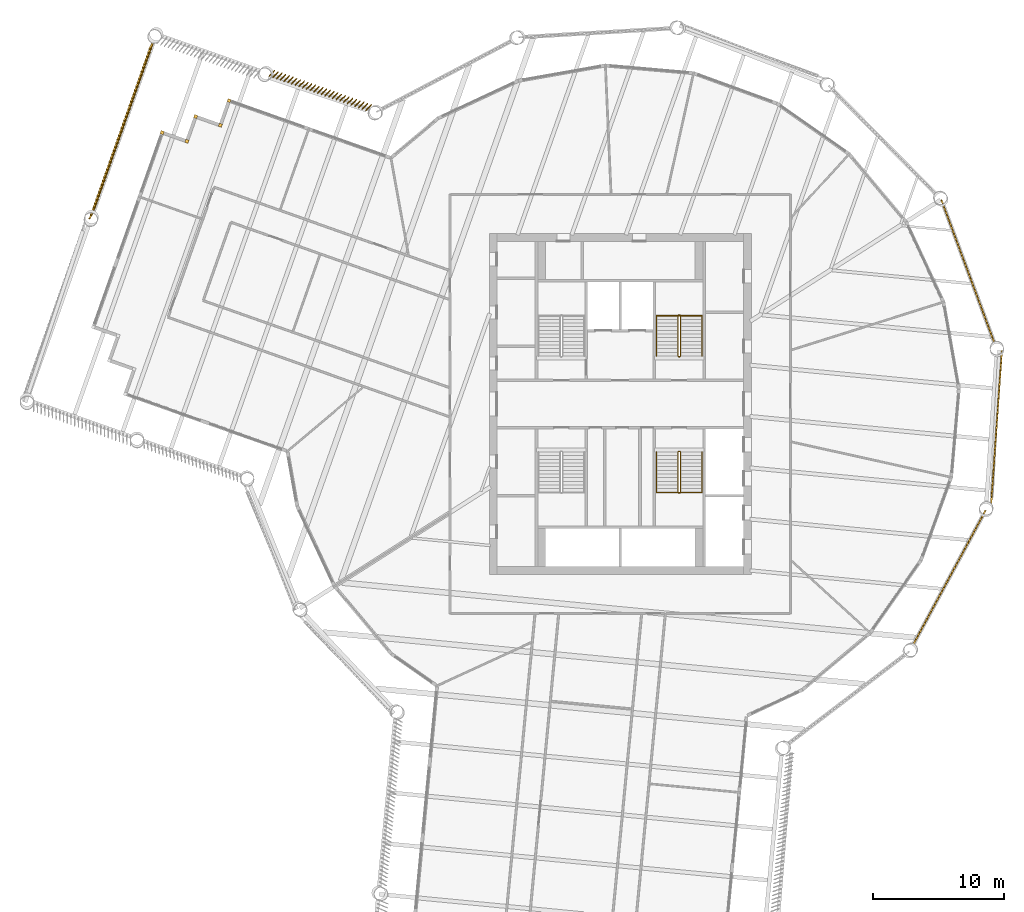
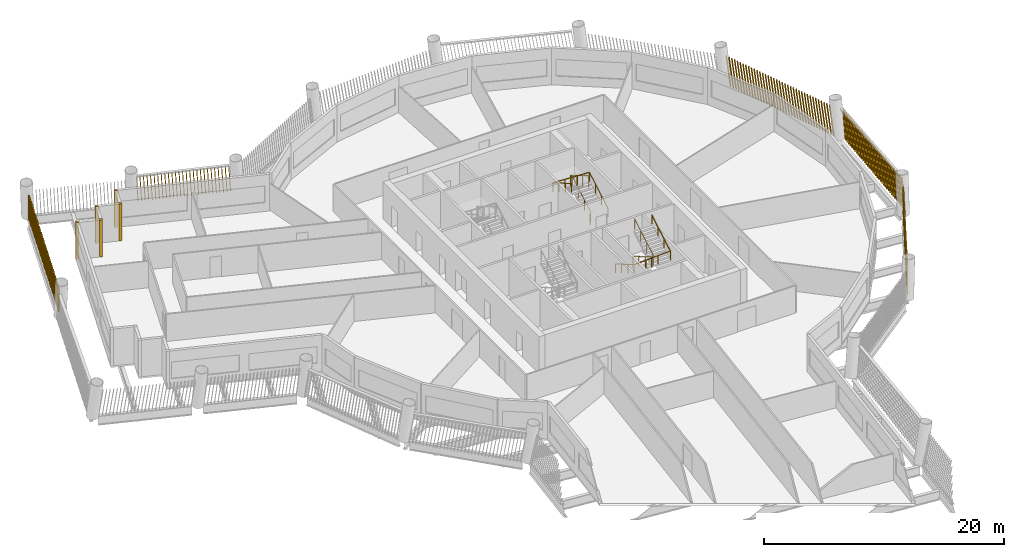
# One storey, part 13 of 15: 10 shading devices, 4 railings.
"""IFC4 building model written with IfcOpenShell, lengths in metres."""

from ifc_helpers import new_model, si_unit, direction, frame, frame_2d, origin, origin_2d, place, context, subcontext, project, spatial, rectangle, circle, composite_profile, extrude, material, type_object, element, save


model = new_model("IFC4")

# Units and contexts
model_context = context("Model", 3, precision=1e-05, world=origin(), true_north=direction((0.0, 1.0)))
body_context = subcontext(model_context, "Body", "Model", "MODEL_VIEW")
ifc_project = project(units=[si_unit("LENGTHUNIT", "METRE"), si_unit("AREAUNIT", "SQUARE_METRE"), si_unit("VOLUMEUNIT", "CUBIC_METRE"), si_unit("PLANEANGLEUNIT", "RADIAN"), si_unit("MASSUNIT", "GRAM", prefix="KILO")], contexts=[model_context])

# Site, building, storey
site_placement = place(None, origin())
site = spatial("IfcSite", under=ifc_project, at=site_placement, CompositionType="ELEMENT")
building_placement = place(site_placement, origin())
building = spatial("IfcBuilding", under=site, at=building_placement, Name="Tarsis Ring Headquarters", CompositionType="ELEMENT")
storey_placement = place(building_placement, frame((0.0, 0.0, 204.300048828125)))
storey = spatial("IfcBuildingStorey", under=building, at=storey_placement, Name="L47", CompositionType="ELEMENT", Elevation=204.300048828125)

# Railings
ifc_material_1 = material(Name="Steel S355", Category="steel")
railing_type_1 = type_object("IfcRailingType", Name="Core stair guard 1100", PredefinedType="GUARDRAIL", material=ifc_material_1)
railing_1_placement = place(storey_placement, frame((4.4599609375, 3.610107421875, 0.0)))
element("IfcRailing", 1, at=railing_1_placement, inside=storey, type_object=railing_type_1, Name="L47 ST2 stair guard 1", PredefinedType="GUARDRAIL", context=body_context, shape_type="SweptSolid", body=[
    extrude(circle(Radius=0.02392578125, at=origin_2d()), frame((0.0, 0.0, 1.076171875), z_axis=(1.0, 0.0, 0.0), x_axis=(0.0, 1.0, 0.0)), (0.0, 0.0, 1.0), 0.080078125),
    extrude(circle(Radius=0.02392578125, at=origin_2d()), frame((0.080078125, 0.0, 1.076171875), z_axis=(0.282693820306, 0.281314826061, 0.917031173188), x_axis=(-0.705375805398, 0.708833529934, 0.0)), (0.0, 0.0, 1.0), 0.177001953125),
    extrude(circle(Radius=0.02392578125, at=origin_2d()), frame((0.130126953125, 0.0498046875, 1.23828125), z_axis=(0.0, 0.864890721111, 0.501960198159), x_axis=(-1.0, 0.0, 0.0)), (0.0, 0.0, 1.0), 3.561279296875),
    extrude(circle(Radius=0.02392578125, at=origin_2d()), frame((0.130126953125, 3.1298828125, 3.02587890625), z_axis=(-0.707106781187, 0.707106781187, 0.0), x_axis=(-0.707106781187, -0.707106781187, 0.0)), (0.0, 0.0, 1.0), 0.07080078125),
    extrude(circle(Radius=0.02392578125, at=origin_2d()), frame((0.080078125, 3.179931640625, 3.02587890625), z_axis=(-1.0, 0.0, 0.0), x_axis=(0.0, -1.0, 0.0)), (0.0, 0.0, 1.0), 0.080078125),
    extrude(circle(Radius=0.02392578125, at=origin_2d()), frame((0.0, 3.179931640625, 3.02587890625), z_axis=(-0.282227285176, -0.282227285176, 0.916894497205), x_axis=(0.707106781187, -0.707106781187, 0.0)), (0.0, 0.0, 1.0), 0.17724609375),
    extrude(circle(Radius=0.02392578125, at=origin_2d()), frame((-0.050048828125, 3.1298828125, 3.1884765625), z_axis=(0.0, -0.864920483161, 0.501908913857), x_axis=(1.0, 0.0, 0.0)), (0.0, 0.0, 1.0), 3.56103515625),
    extrude(circle(Radius=0.02099609375, at=origin_2d()), origin(), (0.0, 0.0, 1.0), 1.052001953125),
    extrude(circle(Radius=0.02099609375, at=origin_2d()), frame((0.080078125, 0.0, 0.0)), (0.0, 0.0, 1.0), 1.052001953125),
    extrude(circle(Radius=0.02099609375, at=origin_2d()), frame((0.130126953125, 0.0498046875, 0.162353515625)), (0.0, 0.0, 1.0), 1.052001953125),
    extrude(circle(Radius=0.02099609375, at=origin_2d()), frame((0.130126953125, 1.076416015625, 0.75830078125)), (0.0, 0.0, 1.0), 1.052001953125),
    extrude(circle(Radius=0.02099609375, at=origin_2d()), frame((0.130126953125, 2.103271484375, 1.35400390625)), (0.0, 0.0, 1.0), 1.052001953125),
    extrude(circle(Radius=0.02099609375, at=origin_2d()), frame((0.130126953125, 3.1298828125, 1.949951171875)), (0.0, 0.0, 1.0), 1.052001953125),
    extrude(circle(Radius=0.02099609375, at=origin_2d()), frame((0.080078125, 3.179931640625, 1.949951171875)), (0.0, 0.0, 1.0), 1.052001953125),
    extrude(circle(Radius=0.02099609375, at=origin_2d()), frame((0.0, 3.179931640625, 1.949951171875)), (0.0, 0.0, 1.0), 1.052001953125),
    extrude(circle(Radius=0.02099609375, at=origin_2d()), frame((-0.050048828125, 3.1298828125, 2.112548828125)), (0.0, 0.0, 1.0), 1.052001953125),
    extrude(circle(Radius=0.02099609375, at=origin_2d()), frame((-0.050048828125, 2.103271484375, 2.708251953125)), (0.0, 0.0, 1.0), 1.052001953125),
    extrude(circle(Radius=0.02099609375, at=origin_2d()), frame((-0.050048828125, 1.076416015625, 3.30419921875)), (0.0, 0.0, 1.0), 1.052001953125),
    extrude(circle(Radius=0.02099609375, at=origin_2d()), frame((-0.050048828125, 0.0498046875, 3.89990234375)), (0.0, 0.0, 1.0), 1.052001953125),
])
railing_2_placement = place(storey_placement, frame((4.5400390625, -3.610107421875, 0.0)))
element("IfcRailing", 2, at=railing_2_placement, inside=storey, type_object=railing_type_1, Name="L47 ST4 stair guard 1", PredefinedType="GUARDRAIL", context=body_context, shape_type="SweptSolid", body=[
    extrude(circle(Radius=0.02392578125, at=origin_2d()), frame((0.0, 0.0, 1.076171875), z_axis=(-1.0, 0.0, 0.0), x_axis=(0.0, -1.0, 0.0)), (0.0, 0.0, 1.0), 0.080078125),
    extrude(circle(Radius=0.02392578125, at=origin_2d()), frame((-0.080078125, 0.0, 1.076171875), z_axis=(-0.282693820306, -0.281314826061, 0.917031173188), x_axis=(0.705375805398, -0.708833529934, 0.0)), (0.0, 0.0, 1.0), 0.177001953125),
    extrude(circle(Radius=0.02392578125, at=origin_2d()), frame((-0.130126953125, -0.0498046875, 1.23828125), z_axis=(0.0, -0.864890721111, 0.501960198159), x_axis=(1.0, 0.0, 0.0)), (0.0, 0.0, 1.0), 3.561279296875),
    extrude(circle(Radius=0.02392578125, at=origin_2d()), frame((-0.130126953125, -3.1298828125, 3.02587890625), z_axis=(0.707106781187, -0.707106781187, 0.0), x_axis=(0.707106781187, 0.707106781187, 0.0)), (0.0, 0.0, 1.0), 0.07080078125),
    extrude(circle(Radius=0.02392578125, at=origin_2d()), frame((-0.080078125, -3.179931640625, 3.02587890625), z_axis=(1.0, 0.0, 0.0), x_axis=(0.0, 1.0, 0.0)), (0.0, 0.0, 1.0), 0.080078125),
    extrude(circle(Radius=0.02392578125, at=origin_2d()), frame((0.0, -3.179931640625, 3.02587890625), z_axis=(0.282227285176, 0.282227285176, 0.916894497205), x_axis=(-0.707106781187, 0.707106781187, 0.0)), (0.0, 0.0, 1.0), 0.17724609375),
    extrude(circle(Radius=0.02392578125, at=origin_2d()), frame((0.050048828125, -3.1298828125, 3.1884765625), z_axis=(0.0, 0.864920483161, 0.501908913857), x_axis=(-1.0, 0.0, 0.0)), (0.0, 0.0, 1.0), 3.56103515625),
    extrude(circle(Radius=0.02099609375, at=origin_2d()), origin(), (0.0, 0.0, 1.0), 1.052001953125),
    extrude(circle(Radius=0.02099609375, at=origin_2d()), frame((-0.080078125, 0.0, 0.0)), (0.0, 0.0, 1.0), 1.052001953125),
    extrude(circle(Radius=0.02099609375, at=origin_2d()), frame((-0.130126953125, -0.0498046875, 0.162353515625)), (0.0, 0.0, 1.0), 1.052001953125),
    extrude(circle(Radius=0.02099609375, at=origin_2d()), frame((-0.130126953125, -1.076416015625, 0.75830078125)), (0.0, 0.0, 1.0), 1.052001953125),
    extrude(circle(Radius=0.02099609375, at=origin_2d()), frame((-0.130126953125, -2.103271484375, 1.35400390625)), (0.0, 0.0, 1.0), 1.052001953125),
    extrude(circle(Radius=0.02099609375, at=origin_2d()), frame((-0.130126953125, -3.1298828125, 1.949951171875)), (0.0, 0.0, 1.0), 1.052001953125),
    extrude(circle(Radius=0.02099609375, at=origin_2d()), frame((-0.080078125, -3.179931640625, 1.949951171875)), (0.0, 0.0, 1.0), 1.052001953125),
    extrude(circle(Radius=0.02099609375, at=origin_2d()), frame((0.0, -3.179931640625, 1.949951171875)), (0.0, 0.0, 1.0), 1.052001953125),
    extrude(circle(Radius=0.02099609375, at=origin_2d()), frame((0.050048828125, -3.1298828125, 2.112548828125)), (0.0, 0.0, 1.0), 1.052001953125),
    extrude(circle(Radius=0.02099609375, at=origin_2d()), frame((0.050048828125, -2.103271484375, 2.708251953125)), (0.0, 0.0, 1.0), 1.052001953125),
    extrude(circle(Radius=0.02099609375, at=origin_2d()), frame((0.050048828125, -1.076416015625, 3.30419921875)), (0.0, 0.0, 1.0), 1.052001953125),
    extrude(circle(Radius=0.02099609375, at=origin_2d()), frame((0.050048828125, -0.0498046875, 3.89990234375)), (0.0, 0.0, 1.0), 1.052001953125),
])
railing_type_2 = type_object("IfcRailingType", Name="Core stair handrail 900", PredefinedType="HANDRAIL", material=ifc_material_1)
railing_3_placement = place(storey_placement, frame((6.25, 3.659912109375, 0.162353515625)))
element("IfcRailing", 3, at=railing_3_placement, inside=storey, type_object=railing_type_2, Name="L47 ST2 stair handrail 1", PredefinedType="HANDRAIL", context=body_context, shape_type="SweptSolid", body=[
    extrude(circle(Radius=0.02392578125, at=origin_2d()), frame((0.0, 0.0, 0.8759765625), z_axis=(0.0, 0.864890721111, 0.501960198159), x_axis=(-1.0, 0.0, 0.0)), (0.0, 0.0, 1.0), 3.561279296875),
    extrude(circle(Radius=0.02392578125, at=origin_2d()), frame((0.0, 3.080078125, 2.66357421875), z_axis=(-0.998922641604, 0.0, 0.046406422943), x_axis=(0.0, -1.0, 0.0)), (0.0, 0.0, 1.0), 3.503662109375),
    extrude(circle(Radius=0.02392578125, at=origin_2d()), frame((-3.5, 3.080078125, 2.826171875), z_axis=(0.0, -0.864920483161, 0.501908913857), x_axis=(1.0, 0.0, 0.0)), (0.0, 0.0, 1.0), 3.56103515625),
    extrude(circle(Radius=0.02099609375, at=origin_2d()), origin(), (0.0, 0.0, 1.0), 0.851806640625),
    extrude(circle(Radius=0.02099609375, at=origin_2d()), frame((0.0, 1.026611328125, 0.595947265625)), (0.0, 0.0, 1.0), 0.851806640625),
    extrude(circle(Radius=0.02099609375, at=origin_2d()), frame((0.0, 2.053466796875, 1.191650390625)), (0.0, 0.0, 1.0), 0.851806640625),
    extrude(circle(Radius=0.02099609375, at=origin_2d()), frame((0.0, 3.080078125, 1.78759765625)), (0.0, 0.0, 1.0), 0.851806640625),
    extrude(circle(Radius=0.02099609375, at=origin_2d()), frame((-1.166748046875, 3.080078125, 1.841796875)), (0.0, 0.0, 1.0), 0.851806640625),
    extrude(circle(Radius=0.02099609375, at=origin_2d()), frame((-2.333251953125, 3.080078125, 1.89599609375)), (0.0, 0.0, 1.0), 0.851806640625),
    extrude(circle(Radius=0.02099609375, at=origin_2d()), frame((-3.5, 3.080078125, 1.9501953125)), (0.0, 0.0, 1.0), 0.851806640625),
    extrude(circle(Radius=0.02099609375, at=origin_2d()), frame((-3.5, 2.053466796875, 2.5458984375)), (0.0, 0.0, 1.0), 0.851806640625),
    extrude(circle(Radius=0.02099609375, at=origin_2d()), frame((-3.5, 1.026611328125, 3.141845703125)), (0.0, 0.0, 1.0), 0.851806640625),
    extrude(circle(Radius=0.02099609375, at=origin_2d()), frame((-3.5, 0.0, 3.737548828125)), (0.0, 0.0, 1.0), 0.851806640625),
])
railing_4_placement = place(storey_placement, frame((2.75, -3.659912109375, 0.162353515625)))
element("IfcRailing", 4, at=railing_4_placement, inside=storey, type_object=railing_type_2, Name="L47 ST4 stair handrail 1", PredefinedType="HANDRAIL", context=body_context, shape_type="SweptSolid", body=[
    extrude(circle(Radius=0.02392578125, at=origin_2d()), frame((0.0, 0.0, 0.8759765625), z_axis=(0.0, -0.864890721111, 0.501960198159), x_axis=(1.0, 0.0, 0.0)), (0.0, 0.0, 1.0), 3.561279296875),
    extrude(circle(Radius=0.02392578125, at=origin_2d()), frame((0.0, -3.080078125, 2.66357421875), z_axis=(0.998922641604, 0.0, 0.046406422943), x_axis=(0.0, 1.0, 0.0)), (0.0, 0.0, 1.0), 3.503662109375),
    extrude(circle(Radius=0.02392578125, at=origin_2d()), frame((3.5, -3.080078125, 2.826171875), z_axis=(0.0, 0.864920483161, 0.501908913857), x_axis=(-1.0, 0.0, 0.0)), (0.0, 0.0, 1.0), 3.56103515625),
    extrude(circle(Radius=0.02099609375, at=origin_2d()), origin(), (0.0, 0.0, 1.0), 0.851806640625),
    extrude(circle(Radius=0.02099609375, at=origin_2d()), frame((0.0, -1.026611328125, 0.595947265625)), (0.0, 0.0, 1.0), 0.851806640625),
    extrude(circle(Radius=0.02099609375, at=origin_2d()), frame((0.0, -2.053466796875, 1.191650390625)), (0.0, 0.0, 1.0), 0.851806640625),
    extrude(circle(Radius=0.02099609375, at=origin_2d()), frame((0.0, -3.080078125, 1.78759765625)), (0.0, 0.0, 1.0), 0.851806640625),
    extrude(circle(Radius=0.02099609375, at=origin_2d()), frame((1.166748046875, -3.080078125, 1.841796875)), (0.0, 0.0, 1.0), 0.851806640625),
    extrude(circle(Radius=0.02099609375, at=origin_2d()), frame((2.333251953125, -3.080078125, 1.89599609375)), (0.0, 0.0, 1.0), 0.851806640625),
    extrude(circle(Radius=0.02099609375, at=origin_2d()), frame((3.5, -3.080078125, 1.9501953125)), (0.0, 0.0, 1.0), 0.851806640625),
    extrude(circle(Radius=0.02099609375, at=origin_2d()), frame((3.5, -2.053466796875, 2.5458984375)), (0.0, 0.0, 1.0), 0.851806640625),
    extrude(circle(Radius=0.02099609375, at=origin_2d()), frame((3.5, -1.026611328125, 3.141845703125)), (0.0, 0.0, 1.0), 0.851806640625),
    extrude(circle(Radius=0.02099609375, at=origin_2d()), frame((3.5, 0.0, 3.737548828125)), (0.0, 0.0, 1.0), 0.851806640625),
])

# Shading devices
ifc_material_2 = material(Name="Terracotta baguette", Category="masonry")
shading_device_type_1 = type_object("IfcShadingDeviceType", Name="Terracotta baguette screen", PredefinedType="USERDEFINED", material=ifc_material_2)
shading_device_1_placement = place(storey_placement, frame((22.323486328125, -18.42822265625, 0.0), z_axis=(0.0, 0.0, 1.0), x_axis=(0.474660879002, 0.880173629951, 0.0)))
element("IfcShadingDevice", 5, at=shading_device_1_placement, inside=storey, type_object=shading_device_type_1, Name="Baguette screen L47-08", ObjectType="Terracotta baguette screen", PredefinedType="USERDEFINED", context=body_context, shape_type="SweptSolid", body=[
    extrude(composite_profile([rectangle(XDim=0.06005859375, YDim=0.1201171875, at=frame_2d((0.030029296875, 0.0))), rectangle(XDim=0.06005859375, YDim=0.1201171875, at=frame_2d((0.33251953125, 0.0))), rectangle(XDim=0.06005859375, YDim=0.1201171875, at=frame_2d((0.634765625, 0.0))), rectangle(XDim=0.06005859375, YDim=0.1201171875, at=frame_2d((0.937255859375, 0.0))), rectangle(XDim=0.06005859375, YDim=0.1201171875, at=frame_2d((1.239501953125, 0.0))), rectangle(XDim=0.06005859375, YDim=0.1201171875, at=frame_2d((1.5419921875, 0.0))), rectangle(XDim=0.06005859375, YDim=0.1201171875, at=frame_2d((1.844482421875, 0.0))), rectangle(XDim=0.06005859375, YDim=0.1201171875, at=frame_2d((2.146728515625, 0.0))), rectangle(XDim=0.06005859375, YDim=0.1201171875, at=frame_2d((2.44921875, 0.0))), rectangle(XDim=0.06005859375, YDim=0.1201171875, at=frame_2d((2.751708984375, 0.0))), rectangle(XDim=0.06005859375, YDim=0.1201171875, at=frame_2d((3.053955078125, 0.0))), rectangle(XDim=0.06005859375, YDim=0.1201171875, at=frame_2d((3.3564453125, 0.0))), rectangle(XDim=0.06005859375, YDim=0.1201171875, at=frame_2d((3.65869140625, 0.0))), rectangle(XDim=0.06005859375, YDim=0.1201171875, at=frame_2d((3.961181640625, 0.0))), rectangle(XDim=0.06005859375, YDim=0.1201171875, at=frame_2d((4.263671875, 0.0))), rectangle(XDim=0.06005859375, YDim=0.1201171875, at=frame_2d((4.56591796875, 0.0))), rectangle(XDim=0.06005859375, YDim=0.1201171875, at=frame_2d((4.868408203125, 0.0))), rectangle(XDim=0.06005859375, YDim=0.1201171875, at=frame_2d((5.1708984375, 0.0))), rectangle(XDim=0.06005859375, YDim=0.1201171875, at=frame_2d((5.47314453125, 0.0))), rectangle(XDim=0.06005859375, YDim=0.1201171875, at=frame_2d((5.775634765625, 0.0))), rectangle(XDim=0.06005859375, YDim=0.1201171875, at=frame_2d((6.077880859375, 0.0))), rectangle(XDim=0.06005859375, YDim=0.1201171875, at=frame_2d((6.38037109375, 0.0))), rectangle(XDim=0.06005859375, YDim=0.1201171875, at=frame_2d((6.682861328125, 0.0))), rectangle(XDim=0.06005859375, YDim=0.1201171875, at=frame_2d((6.985107421875, 0.0))), rectangle(XDim=0.06005859375, YDim=0.1201171875, at=frame_2d((7.28759765625, 0.0))), rectangle(XDim=0.06005859375, YDim=0.1201171875, at=frame_2d((7.590087890625, 0.0))), rectangle(XDim=0.06005859375, YDim=0.1201171875, at=frame_2d((7.892333984375, 0.0))), rectangle(XDim=0.06005859375, YDim=0.1201171875, at=frame_2d((8.19482421875, 0.0))), rectangle(XDim=0.06005859375, YDim=0.1201171875, at=frame_2d((8.4970703125, 0.0))), rectangle(XDim=0.06005859375, YDim=0.1201171875, at=frame_2d((8.799560546875, 0.0))), rectangle(XDim=0.06005859375, YDim=0.1201171875, at=frame_2d((9.10205078125, 0.0))), rectangle(XDim=0.06005859375, YDim=0.1201171875, at=frame_2d((9.404296875, 0.0))), rectangle(XDim=0.06005859375, YDim=0.1201171875, at=frame_2d((9.706787109375, 0.0))), rectangle(XDim=0.06005859375, YDim=0.1201171875, at=frame_2d((10.00927734375, 0.0))), rectangle(XDim=0.06005859375, YDim=0.1201171875, at=frame_2d((10.3115234375, 0.0))), rectangle(XDim=0.06005859375, YDim=0.1201171875, at=frame_2d((10.614013671875, 0.0))), rectangle(XDim=0.06005859375, YDim=0.1201171875, at=frame_2d((10.916259765625, 0.0))), rectangle(XDim=0.06005859375, YDim=0.1201171875, at=frame_2d((11.21875, 0.0)))]), origin(), (0.159217302507, 0.00133658454, 0.987242657164), 2.988037109375),
])
shading_device_2_placement = place(storey_placement, frame((28.30908203125, -7.614501953125, 0.0), z_axis=(0.0, 0.0, 1.0), x_axis=(0.069647314162, 0.997569180684, 0.0)))
element("IfcShadingDevice", 6, at=shading_device_2_placement, inside=storey, type_object=shading_device_type_1, Name="Baguette screen L47-09", ObjectType="Terracotta baguette screen", PredefinedType="USERDEFINED", context=body_context, shape_type="SweptSolid", body=[
    extrude(composite_profile([rectangle(XDim=0.06005859375, YDim=0.1201171875, at=frame_2d((0.030029296875, 0.0))), rectangle(XDim=0.06005859375, YDim=0.1201171875, at=frame_2d((0.33251953125, 0.0))), rectangle(XDim=0.06005859375, YDim=0.1201171875, at=frame_2d((0.634765625, 0.0))), rectangle(XDim=0.06005859375, YDim=0.1201171875, at=frame_2d((0.937255859375, 0.0))), rectangle(XDim=0.06005859375, YDim=0.1201171875, at=frame_2d((1.239501953125, 0.0))), rectangle(XDim=0.06005859375, YDim=0.1201171875, at=frame_2d((1.5419921875, 0.0))), rectangle(XDim=0.06005859375, YDim=0.1201171875, at=frame_2d((1.844482421875, 0.0))), rectangle(XDim=0.06005859375, YDim=0.1201171875, at=frame_2d((2.146728515625, 0.0))), rectangle(XDim=0.06005859375, YDim=0.1201171875, at=frame_2d((2.44921875, 0.0))), rectangle(XDim=0.06005859375, YDim=0.1201171875, at=frame_2d((2.751708984375, 0.0))), rectangle(XDim=0.06005859375, YDim=0.1201171875, at=frame_2d((3.053955078125, 0.0))), rectangle(XDim=0.06005859375, YDim=0.1201171875, at=frame_2d((3.3564453125, 0.0))), rectangle(XDim=0.06005859375, YDim=0.1201171875, at=frame_2d((3.65869140625, 0.0))), rectangle(XDim=0.06005859375, YDim=0.1201171875, at=frame_2d((3.961181640625, 0.0))), rectangle(XDim=0.06005859375, YDim=0.1201171875, at=frame_2d((4.263671875, 0.0))), rectangle(XDim=0.06005859375, YDim=0.1201171875, at=frame_2d((4.56591796875, 0.0))), rectangle(XDim=0.06005859375, YDim=0.1201171875, at=frame_2d((4.868408203125, 0.0))), rectangle(XDim=0.06005859375, YDim=0.1201171875, at=frame_2d((5.1708984375, 0.0))), rectangle(XDim=0.06005859375, YDim=0.1201171875, at=frame_2d((5.47314453125, 0.0))), rectangle(XDim=0.06005859375, YDim=0.1201171875, at=frame_2d((5.775634765625, 0.0))), rectangle(XDim=0.06005859375, YDim=0.1201171875, at=frame_2d((6.077880859375, 0.0))), rectangle(XDim=0.06005859375, YDim=0.1201171875, at=frame_2d((6.38037109375, 0.0))), rectangle(XDim=0.06005859375, YDim=0.1201171875, at=frame_2d((6.682861328125, 0.0))), rectangle(XDim=0.06005859375, YDim=0.1201171875, at=frame_2d((6.985107421875, 0.0))), rectangle(XDim=0.06005859375, YDim=0.1201171875, at=frame_2d((7.28759765625, 0.0))), rectangle(XDim=0.06005859375, YDim=0.1201171875, at=frame_2d((7.590087890625, 0.0))), rectangle(XDim=0.06005859375, YDim=0.1201171875, at=frame_2d((7.892333984375, 0.0))), rectangle(XDim=0.06005859375, YDim=0.1201171875, at=frame_2d((8.19482421875, 0.0))), rectangle(XDim=0.06005859375, YDim=0.1201171875, at=frame_2d((8.4970703125, 0.0))), rectangle(XDim=0.06005859375, YDim=0.1201171875, at=frame_2d((8.799560546875, 0.0))), rectangle(XDim=0.06005859375, YDim=0.1201171875, at=frame_2d((9.10205078125, 0.0))), rectangle(XDim=0.06005859375, YDim=0.1201171875, at=frame_2d((9.404296875, 0.0))), rectangle(XDim=0.06005859375, YDim=0.1201171875, at=frame_2d((9.706787109375, 0.0))), rectangle(XDim=0.06005859375, YDim=0.1201171875, at=frame_2d((10.00927734375, 0.0))), rectangle(XDim=0.06005859375, YDim=0.1201171875, at=frame_2d((10.3115234375, 0.0))), rectangle(XDim=0.06005859375, YDim=0.1201171875, at=frame_2d((10.614013671875, 0.0))), rectangle(XDim=0.06005859375, YDim=0.1201171875, at=frame_2d((10.916259765625, 0.0))), rectangle(XDim=0.06005859375, YDim=0.1201171875, at=frame_2d((11.21875, 0.0)))]), origin(), (0.161264509541, 0.00135098662, 0.986910296226), 2.989013671875),
])
shading_device_3_placement = place(storey_placement, frame((28.579345703125, 4.6005859375, 0.0), z_axis=(0.0, 0.0, 1.0), x_axis=(-0.347737384699, 0.9376017363, 0.0)))
element("IfcShadingDevice", 7, at=shading_device_3_placement, inside=storey, type_object=shading_device_type_1, Name="Baguette screen L47-10", ObjectType="Terracotta baguette screen", PredefinedType="USERDEFINED", context=body_context, shape_type="SweptSolid", body=[
    extrude(composite_profile([rectangle(XDim=0.06005859375, YDim=0.1201171875, at=frame_2d((0.030029296875, 0.0))), rectangle(XDim=0.06005859375, YDim=0.1201171875, at=frame_2d((0.33251953125, 0.0))), rectangle(XDim=0.06005859375, YDim=0.1201171875, at=frame_2d((0.634765625, 0.0))), rectangle(XDim=0.06005859375, YDim=0.1201171875, at=frame_2d((0.937255859375, 0.0))), rectangle(XDim=0.06005859375, YDim=0.1201171875, at=frame_2d((1.239501953125, 0.0))), rectangle(XDim=0.06005859375, YDim=0.1201171875, at=frame_2d((1.5419921875, 0.0))), rectangle(XDim=0.06005859375, YDim=0.1201171875, at=frame_2d((1.844482421875, 0.0))), rectangle(XDim=0.06005859375, YDim=0.1201171875, at=frame_2d((2.146728515625, 0.0))), rectangle(XDim=0.06005859375, YDim=0.1201171875, at=frame_2d((2.44921875, 0.0))), rectangle(XDim=0.06005859375, YDim=0.1201171875, at=frame_2d((2.751708984375, 0.0))), rectangle(XDim=0.06005859375, YDim=0.1201171875, at=frame_2d((3.053955078125, 0.0))), rectangle(XDim=0.06005859375, YDim=0.1201171875, at=frame_2d((3.3564453125, 0.0))), rectangle(XDim=0.06005859375, YDim=0.1201171875, at=frame_2d((3.65869140625, 0.0))), rectangle(XDim=0.06005859375, YDim=0.1201171875, at=frame_2d((3.961181640625, 0.0))), rectangle(XDim=0.06005859375, YDim=0.1201171875, at=frame_2d((4.263671875, 0.0))), rectangle(XDim=0.06005859375, YDim=0.1201171875, at=frame_2d((4.56591796875, 0.0))), rectangle(XDim=0.06005859375, YDim=0.1201171875, at=frame_2d((4.868408203125, 0.0))), rectangle(XDim=0.06005859375, YDim=0.1201171875, at=frame_2d((5.1708984375, 0.0))), rectangle(XDim=0.06005859375, YDim=0.1201171875, at=frame_2d((5.47314453125, 0.0))), rectangle(XDim=0.06005859375, YDim=0.1201171875, at=frame_2d((5.775634765625, 0.0))), rectangle(XDim=0.06005859375, YDim=0.1201171875, at=frame_2d((6.077880859375, 0.0))), rectangle(XDim=0.06005859375, YDim=0.1201171875, at=frame_2d((6.38037109375, 0.0))), rectangle(XDim=0.06005859375, YDim=0.1201171875, at=frame_2d((6.682861328125, 0.0))), rectangle(XDim=0.06005859375, YDim=0.1201171875, at=frame_2d((6.985107421875, 0.0))), rectangle(XDim=0.06005859375, YDim=0.1201171875, at=frame_2d((7.28759765625, 0.0))), rectangle(XDim=0.06005859375, YDim=0.1201171875, at=frame_2d((7.590087890625, 0.0))), rectangle(XDim=0.06005859375, YDim=0.1201171875, at=frame_2d((7.892333984375, 0.0))), rectangle(XDim=0.06005859375, YDim=0.1201171875, at=frame_2d((8.19482421875, 0.0))), rectangle(XDim=0.06005859375, YDim=0.1201171875, at=frame_2d((8.4970703125, 0.0))), rectangle(XDim=0.06005859375, YDim=0.1201171875, at=frame_2d((8.799560546875, 0.0))), rectangle(XDim=0.06005859375, YDim=0.1201171875, at=frame_2d((9.10205078125, 0.0))), rectangle(XDim=0.06005859375, YDim=0.1201171875, at=frame_2d((9.404296875, 0.0))), rectangle(XDim=0.06005859375, YDim=0.1201171875, at=frame_2d((9.706787109375, 0.0))), rectangle(XDim=0.06005859375, YDim=0.1201171875, at=frame_2d((10.00927734375, 0.0))), rectangle(XDim=0.06005859375, YDim=0.1201171875, at=frame_2d((10.3115234375, 0.0))), rectangle(XDim=0.06005859375, YDim=0.1201171875, at=frame_2d((10.614013671875, 0.0))), rectangle(XDim=0.06005859375, YDim=0.1201171875, at=frame_2d((10.916259765625, 0.0))), rectangle(XDim=0.06005859375, YDim=0.1201171875, at=frame_2d((11.21875, 0.0)))]), origin(), (0.159217821209, 0.001333719708, 0.987242577385), 2.988037109375),
])
shading_device_4_placement = place(storey_placement, frame((-18.9755859375, 22.80859375, 0.0), z_axis=(0.0, 0.0, 1.0), x_axis=(-0.94275210084, 0.333477508651, 0.0)))
element("IfcShadingDevice", 8, at=shading_device_4_placement, inside=storey, type_object=shading_device_type_1, Name="Baguette screen L47-15", ObjectType="Terracotta baguette screen", PredefinedType="USERDEFINED", context=body_context, shape_type="SweptSolid", body=[
    extrude(composite_profile([rectangle(XDim=0.06005859375, YDim=0.1201171875, at=frame_2d((0.030029296875, 0.0))), rectangle(XDim=0.06005859375, YDim=0.1201171875, at=frame_2d((0.33154296875, 0.0))), rectangle(XDim=0.06005859375, YDim=0.1201171875, at=frame_2d((0.63330078125, 0.0))), rectangle(XDim=0.06005859375, YDim=0.1201171875, at=frame_2d((0.934814453125, 0.0))), rectangle(XDim=0.06005859375, YDim=0.1201171875, at=frame_2d((1.236572265625, 0.0))), rectangle(XDim=0.06005859375, YDim=0.1201171875, at=frame_2d((1.5380859375, 0.0))), rectangle(XDim=0.06005859375, YDim=0.1201171875, at=frame_2d((1.83984375, 0.0))), rectangle(XDim=0.06005859375, YDim=0.1201171875, at=frame_2d((2.141357421875, 0.0))), rectangle(XDim=0.06005859375, YDim=0.1201171875, at=frame_2d((2.443115234375, 0.0))), rectangle(XDim=0.06005859375, YDim=0.1201171875, at=frame_2d((2.74462890625, 0.0))), rectangle(XDim=0.06005859375, YDim=0.1201171875, at=frame_2d((3.04638671875, 0.0))), rectangle(XDim=0.06005859375, YDim=0.1201171875, at=frame_2d((3.347900390625, 0.0))), rectangle(XDim=0.06005859375, YDim=0.1201171875, at=frame_2d((3.649658203125, 0.0))), rectangle(XDim=0.06005859375, YDim=0.1201171875, at=frame_2d((3.951171875, 0.0))), rectangle(XDim=0.06005859375, YDim=0.1201171875, at=frame_2d((4.252685546875, 0.0))), rectangle(XDim=0.06005859375, YDim=0.1201171875, at=frame_2d((4.554443359375, 0.0))), rectangle(XDim=0.06005859375, YDim=0.1201171875, at=frame_2d((4.85595703125, 0.0))), rectangle(XDim=0.06005859375, YDim=0.1201171875, at=frame_2d((5.15771484375, 0.0))), rectangle(XDim=0.06005859375, YDim=0.1201171875, at=frame_2d((5.459228515625, 0.0))), rectangle(XDim=0.06005859375, YDim=0.1201171875, at=frame_2d((5.760986328125, 0.0))), rectangle(XDim=0.06005859375, YDim=0.1201171875, at=frame_2d((6.0625, 0.0))), rectangle(XDim=0.06005859375, YDim=0.1201171875, at=frame_2d((6.3642578125, 0.0))), rectangle(XDim=0.06005859375, YDim=0.1201171875, at=frame_2d((6.665771484375, 0.0))), rectangle(XDim=0.06005859375, YDim=0.1201171875, at=frame_2d((6.967529296875, 0.0))), rectangle(XDim=0.06005859375, YDim=0.1201171875, at=frame_2d((7.26904296875, 0.0))), rectangle(XDim=0.06005859375, YDim=0.1201171875, at=frame_2d((7.57080078125, 0.0))), rectangle(XDim=0.06005859375, YDim=0.1201171875, at=frame_2d((7.872314453125, 0.0)))]), origin(), (0.083323034926, 0.165068452457, 0.982756163987), 3.001708984375),
])
shading_device_5_placement = place(storey_placement, frame((-35.581298828125, 27.75439453125, 0.0), z_axis=(0.0, 0.0, 1.0), x_axis=(-0.333474861126, -0.942752007926, 0.0)))
element("IfcShadingDevice", 9, at=shading_device_5_placement, inside=storey, type_object=shading_device_type_1, Name="Baguette screen L47-17", ObjectType="Terracotta baguette screen", PredefinedType="USERDEFINED", context=body_context, shape_type="SweptSolid", body=[
    extrude(composite_profile([rectangle(XDim=0.06005859375, YDim=0.1201171875, at=frame_2d((0.030029296875, 0.0))), rectangle(XDim=0.06005859375, YDim=0.1201171875, at=frame_2d((0.33544921875, 0.0))), rectangle(XDim=0.06005859375, YDim=0.1201171875, at=frame_2d((0.640625, 0.0))), rectangle(XDim=0.06005859375, YDim=0.1201171875, at=frame_2d((0.946044921875, 0.0))), rectangle(XDim=0.06005859375, YDim=0.1201171875, at=frame_2d((1.25146484375, 0.0))), rectangle(XDim=0.06005859375, YDim=0.1201171875, at=frame_2d((1.556640625, 0.0))), rectangle(XDim=0.06005859375, YDim=0.1201171875, at=frame_2d((1.862060546875, 0.0))), rectangle(XDim=0.06005859375, YDim=0.1201171875, at=frame_2d((2.16748046875, 0.0))), rectangle(XDim=0.06005859375, YDim=0.1201171875, at=frame_2d((2.47265625, 0.0))), rectangle(XDim=0.06005859375, YDim=0.1201171875, at=frame_2d((2.778076171875, 0.0))), rectangle(XDim=0.06005859375, YDim=0.1201171875, at=frame_2d((3.08349609375, 0.0))), rectangle(XDim=0.06005859375, YDim=0.1201171875, at=frame_2d((3.388671875, 0.0))), rectangle(XDim=0.06005859375, YDim=0.1201171875, at=frame_2d((3.694091796875, 0.0))), rectangle(XDim=0.06005859375, YDim=0.1201171875, at=frame_2d((3.99951171875, 0.0))), rectangle(XDim=0.06005859375, YDim=0.1201171875, at=frame_2d((4.3046875, 0.0))), rectangle(XDim=0.06005859375, YDim=0.1201171875, at=frame_2d((4.610107421875, 0.0))), rectangle(XDim=0.06005859375, YDim=0.1201171875, at=frame_2d((4.91552734375, 0.0))), rectangle(XDim=0.06005859375, YDim=0.1201171875, at=frame_2d((5.220703125, 0.0))), rectangle(XDim=0.06005859375, YDim=0.1201171875, at=frame_2d((5.526123046875, 0.0))), rectangle(XDim=0.06005859375, YDim=0.1201171875, at=frame_2d((5.83154296875, 0.0))), rectangle(XDim=0.06005859375, YDim=0.1201171875, at=frame_2d((6.13671875, 0.0))), rectangle(XDim=0.06005859375, YDim=0.1201171875, at=frame_2d((6.442138671875, 0.0))), rectangle(XDim=0.06005859375, YDim=0.1201171875, at=frame_2d((6.74755859375, 0.0))), rectangle(XDim=0.06005859375, YDim=0.1201171875, at=frame_2d((7.052734375, 0.0))), rectangle(XDim=0.06005859375, YDim=0.1201171875, at=frame_2d((7.358154296875, 0.0))), rectangle(XDim=0.06005859375, YDim=0.1201171875, at=frame_2d((7.66357421875, 0.0))), rectangle(XDim=0.06005859375, YDim=0.1201171875, at=frame_2d((7.96875, 0.0))), rectangle(XDim=0.06005859375, YDim=0.1201171875, at=frame_2d((8.274169921875, 0.0))), rectangle(XDim=0.06005859375, YDim=0.1201171875, at=frame_2d((8.57958984375, 0.0))), rectangle(XDim=0.06005859375, YDim=0.1201171875, at=frame_2d((8.884765625, 0.0))), rectangle(XDim=0.06005859375, YDim=0.1201171875, at=frame_2d((9.190185546875, 0.0))), rectangle(XDim=0.06005859375, YDim=0.1201171875, at=frame_2d((9.49560546875, 0.0))), rectangle(XDim=0.06005859375, YDim=0.1201171875, at=frame_2d((9.80078125, 0.0))), rectangle(XDim=0.06005859375, YDim=0.1201171875, at=frame_2d((10.106201171875, 0.0))), rectangle(XDim=0.06005859375, YDim=0.1201171875, at=frame_2d((10.41162109375, 0.0))), rectangle(XDim=0.06005859375, YDim=0.1201171875, at=frame_2d((10.716796875, 0.0))), rectangle(XDim=0.06005859375, YDim=0.1201171875, at=frame_2d((11.022216796875, 0.0))), rectangle(XDim=0.06005859375, YDim=0.1201171875, at=frame_2d((11.32763671875, 0.0))), rectangle(XDim=0.06005859375, YDim=0.1201171875, at=frame_2d((11.6328125, 0.0))), rectangle(XDim=0.06005859375, YDim=0.1201171875, at=frame_2d((11.938232421875, 0.0))), rectangle(XDim=0.06005859375, YDim=0.1201171875, at=frame_2d((12.24365234375, 0.0))), rectangle(XDim=0.06005859375, YDim=0.1201171875, at=frame_2d((12.548828125, 0.0))), rectangle(XDim=0.06005859375, YDim=0.1201171875, at=frame_2d((12.854248046875, 0.0))), rectangle(XDim=0.06005859375, YDim=0.1201171875, at=frame_2d((13.15966796875, 0.0))), rectangle(XDim=0.06005859375, YDim=0.1201171875, at=frame_2d((13.46484375, 0.0))), rectangle(XDim=0.06005859375, YDim=0.1201171875, at=frame_2d((13.770263671875, 0.0)))]), origin(), (0.23634908071, -0.038828041021, 0.970892113099), 3.038330078125),
])
shading_device_type_2 = type_object("IfcShadingDeviceType", Name="Terracotta corner baguette 250x250", PredefinedType="USERDEFINED", material=ifc_material_2)
for number, where, z_axis, x_axis, name in (
    (10, (-29.861328125, 23.15869140625, 0.0), (0.0, 0.0, 1.0), (-0.942757971697, 0.333477745587, 0.0), "Corner baguette L47-32"),
    (11, (-30.5283203125, 21.273193359375, 0.0), (0.0, 0.0, 1.0), (-0.333477959492, -0.942757896033, 0.0), "Corner baguette L47-33"),
    (12, (-32.413818359375, 21.940185546875, 0.0), (0.0, 0.0, 1.0), (-0.942758053181, 0.333477515228, 0.0), "Corner baguette L47-34"),
    (13, (-33.080810546875, 20.0546875, 0.0), (0.0, 0.0, 1.0), (-0.333477515228, -0.942758053181, 0.0), "Corner baguette L47-35"),
    (14, (-34.96630859375, 20.7216796875, 0.0), (0.0, 0.0, 1.0), (-0.942757896033, 0.333477959492, 0.0), "Corner baguette L47-36"),
):
    element("IfcShadingDevice", number, at=place(storey_placement, frame(where, z_axis=z_axis, x_axis=x_axis)), inside=storey, type_object=shading_device_type_2, Name=name, ObjectType="Terracotta corner baguette", PredefinedType="USERDEFINED", context=body_context, shape_type="SweptSolid", body=[
        extrude(rectangle(XDim=0.25, YDim=0.25, at=origin_2d()), origin(), (0.0, 0.0, 1.0), 3.739990234375),
    ])

save(model, "model.ifc")
